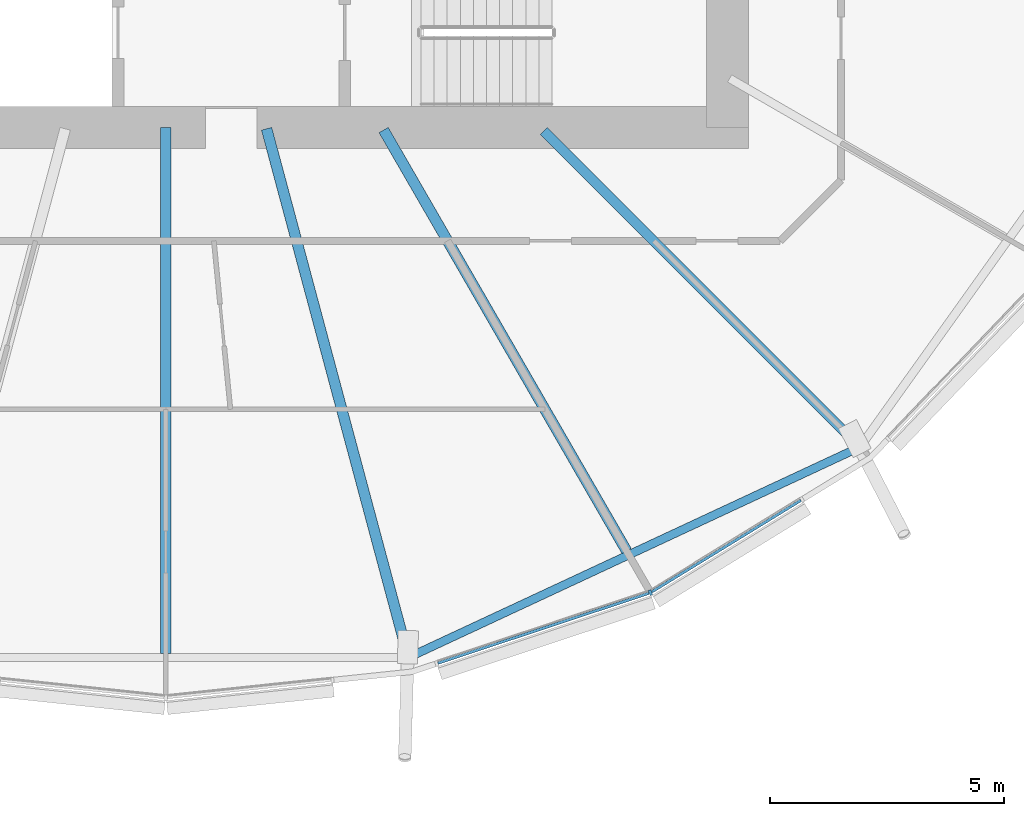
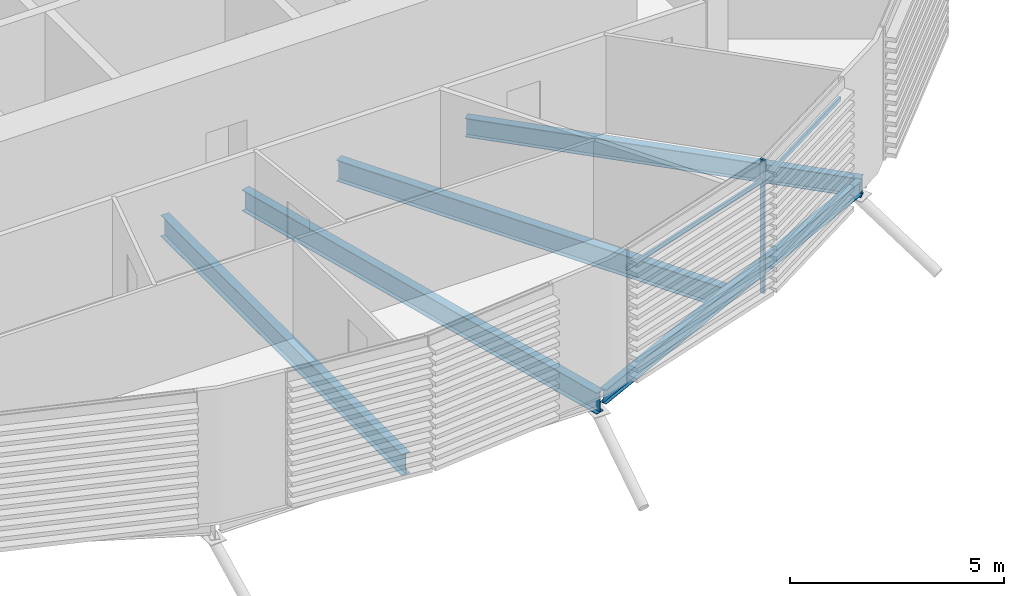
# One storey, part 4 of 37: 5 beams, 3 members, 1 element without a shape of its own.
"""IFC4 building model written with IfcOpenShell, lengths in metres."""

from ifc_helpers import new_model, si_unit, direction, frame, origin, origin_2d, place, context, subcontext, project, spatial, rectangle, i_section, extrude, material, material_profile, profile_set, type_object, element, aggregate, save


model = new_model("IFC4")

# Units and contexts
model_context = context("Model", 3, precision=1e-05, world=origin(), true_north=direction((0.0, 1.0)))
body_context = subcontext(model_context, "Body", "Model", "MODEL_VIEW")
ifc_project = project(units=[si_unit("LENGTHUNIT", "METRE"), si_unit("AREAUNIT", "SQUARE_METRE"), si_unit("VOLUMEUNIT", "CUBIC_METRE"), si_unit("PLANEANGLEUNIT", "RADIAN"), si_unit("MASSUNIT", "GRAM", prefix="KILO")], contexts=[model_context])

# Site, building, storey
site_placement = place(None, origin())
site = spatial("IfcSite", under=ifc_project, at=site_placement, CompositionType="ELEMENT")
building_placement = place(site_placement, origin())
building = spatial("IfcBuilding", under=site, at=building_placement, Name="Rimbun Link Towers", CompositionType="ELEMENT")
storey_placement = place(building_placement, frame((0.0, 0.0, 45.199951171875)))
storey = spatial("IfcBuildingStorey", under=building, at=storey_placement, Name="L10", CompositionType="ELEMENT", Elevation=45.199951171875)

# Curtain wall, members
ifc_material_1 = material(Name="Aluminium 6063-T6 and low-iron glass", Category="aluminium")
curtain_wall_type = type_object("IfcCurtainWallType", Name="CW1 unitised vision wall", PredefinedType="NOTDEFINED", material=ifc_material_1)
curtain_wall_placement = place(storey_placement, origin())
curtain_wall = element("IfcCurtainWall", 1, at=curtain_wall_placement, inside=storey, type_object=curtain_wall_type, Name="CW1 L10 T1", PredefinedType="NOTDEFINED")
ifc_material_2 = material(Name="Aluminium 6063-T6", Category="aluminium")
ifc_material_profile_1 = material_profile(ifc_material_2, rectangle(XDim=0.1201171875, YDim=0.06005859375, at=origin_2d()), Name="MULLION 60X120")
ifc_profile_set_1 = profile_set([ifc_material_profile_1], Name="Aluminium 6063-T6")
member_type_1 = type_object("IfcMemberType", Name="CW1 mullion 60X120", PredefinedType="MULLION", material=ifc_profile_set_1)
member_1_placement = place(storey_placement, frame((-21.396240234375, -17.944091796875, 0.0), z_axis=(0.0, 0.0, 1.0), x_axis=(0.421700623213, -0.906735123607, 0.0)))
member_1 = element("IfcMember", 2, at=member_1_placement, type_object=member_type_1, Name="CW1 mullion", PredefinedType="MULLION", context=body_context, shape_type="SweptSolid", body=[
    extrude(rectangle(XDim=0.1201171875, YDim=0.06005859375, at=origin_2d()), origin(), (0.0, 0.0, 1.0), 3.800048828125),
])
ifc_material_3 = material(Name="Aluminium 6063-T6", Category="aluminium")
ifc_material_profile_2 = material_profile(ifc_material_3, rectangle(XDim=0.06005859375, YDim=0.1201171875, at=origin_2d()), Name="TRANSOM 60X120")
ifc_profile_set_2 = profile_set([ifc_material_profile_2], Name="Aluminium 6063-T6")
member_type_2 = type_object("IfcMemberType", Name="CW1 transom 60X120", PredefinedType="USERDEFINED", material=ifc_profile_set_2)
member_2_placement = place(storey_placement, frame((-21.431640625, -17.9541015625, 3.199951171875), z_axis=(-0.94924257517, -0.314544962581, 0.0), x_axis=(0.314544962581, -0.94924257517, 0.0)))
member_2 = element("IfcMember", 3, at=member_2_placement, type_object=member_type_2, Name="CW1 transom", ObjectType="TRANSOM", PredefinedType="USERDEFINED", context=body_context, shape_type="SweptSolid", body=[
    extrude(rectangle(XDim=0.06005859375, YDim=0.1201171875, at=origin_2d()), origin(), (0.0, 0.0, 1.0), 4.74560546875),
])
member_3_placement = place(storey_placement, frame((-18.1806640625, -15.9677734375, 3.199951171875), z_axis=(-0.852173780916, -0.523258871992, 0.0), x_axis=(0.523258871992, -0.852173780916, 0.0)))
member_3 = element("IfcMember", 4, at=member_3_placement, type_object=member_type_2, Name="CW1 transom", ObjectType="TRANSOM", PredefinedType="USERDEFINED", context=body_context, shape_type="SweptSolid", body=[
    extrude(rectangle(XDim=0.06005859375, YDim=0.1201171875, at=origin_2d()), origin(), (0.0, 0.0, 1.0), 3.7373046875),
])
aggregate(curtain_wall, [member_1, member_2, member_3])

# Beams
ifc_material_4 = material(Name="Steel S355J2", Category="steel")
ifc_material_profile_3 = material_profile(ifc_material_4, i_section(OverallWidth=0.177978515625, OverallDepth=0.406494140625, WebThickness=0.0078125, FlangeThickness=0.0126953125, at=origin_2d()), Name="UB 406x178x60")
ifc_profile_set_3 = profile_set([ifc_material_profile_3], Name="Steel S355J2")
beam_type_1 = type_object("IfcBeamType", Name="UB 406x178x60", PredefinedType="BEAM", material=ifc_profile_set_3)
beam_1_placement = place(storey_placement, frame((-26.465087890625, -19.280517578125, -0.363037109375), z_axis=(0.906398512067, 0.422423646738, 0.0), x_axis=(-0.422423646738, 0.906398512067, 0.0)))
element("IfcBeam", 5, at=beam_1_placement, inside=storey, type_object=beam_type_1, Name="Edge beam T1 L10 19-21", PredefinedType="BEAM", context=body_context, shape_type="SweptSolid", body=[
    extrude(i_section(OverallWidth=0.177978515625, OverallDepth=0.406494140625, WebThickness=0.0078125, FlangeThickness=0.0126953125, at=origin_2d()), origin(), (0.0, 0.0, 1.0), 10.419921875),
])
ifc_material_5 = material(Name="Steel S355J2", Category="steel")
ifc_material_profile_4 = material_profile(ifc_material_5, i_section(OverallWidth=0.209228515625, OverallDepth=0.533203125, WebThickness=0.010009765625, FlangeThickness=0.015625, at=origin_2d()), Name="UB 533x210x92")
ifc_profile_set_4 = profile_set([ifc_material_profile_4], Name="Steel S355J2")
beam_type_2 = type_object("IfcBeamType", Name="UB 533x210x92", PredefinedType="BEAM", material=ifc_profile_set_4)
beam_2_placement = place(storey_placement, frame((-23.67529296875, -8.07470703125, -0.426513671875), z_axis=(0.707106781187, -0.707106781187, 0.0), x_axis=(0.707106781187, 0.707106781187, 0.0)))
element("IfcBeam", 6, at=beam_2_placement, inside=storey, type_object=beam_type_2, Name="Radial beam T1 L10 21", PredefinedType="BEAM", context=body_context, shape_type="SweptSolid", body=[
    extrude(i_section(OverallWidth=0.209228515625, OverallDepth=0.533203125, WebThickness=0.010009765625, FlangeThickness=0.015625, at=origin_2d()), origin(), (0.0, 0.0, 1.0), 9.55517578125),
])
ifc_material_6 = material(Name="Steel S355J2", Category="steel")
ifc_material_profile_5 = material_profile(ifc_material_6, i_section(OverallWidth=0.2275390625, OverallDepth=0.6025390625, WebThickness=0.010498046875, FlangeThickness=0.014892578125, at=origin_2d()), Name="UB 610x229x101")
ifc_profile_set_5 = profile_set([ifc_material_profile_5], Name="Steel S355J2")
beam_type_3 = type_object("IfcBeamType", Name="UB 610x229x101", PredefinedType="BEAM", material=ifc_profile_set_5)
beam_3_placement = place(storey_placement, frame((-31.75, -8.0009765625, -0.461181640625), z_axis=(0.0, -1.0, 0.0), x_axis=(1.0, 0.0, 0.0)))
element("IfcBeam", 7, at=beam_3_placement, inside=storey, type_object=beam_type_3, Name="Radial beam T1 L10 18", PredefinedType="BEAM", context=body_context, shape_type="SweptSolid", body=[
    extrude(i_section(OverallWidth=0.2275390625, OverallDepth=0.6025390625, WebThickness=0.010498046875, FlangeThickness=0.014892578125, at=origin_2d()), origin(), (0.0, 0.0, 1.0), 11.23876953125),
])
beam_4_placement = place(storey_placement, frame((-29.598388671875, -8.030517578125, -0.461181640625), z_axis=(0.258839363348, -0.965920381803, 0.0), x_axis=(0.965920381803, 0.258839363348, 0.0)))
element("IfcBeam", 8, at=beam_4_placement, inside=storey, type_object=beam_type_3, Name="Radial beam T1 L10 19", PredefinedType="BEAM", context=body_context, shape_type="SweptSolid", body=[
    extrude(i_section(OverallWidth=0.2275390625, OverallDepth=0.6025390625, WebThickness=0.010498046875, FlangeThickness=0.014892578125, at=origin_2d()), origin(), (0.0, 0.0, 1.0), 11.69775390625),
])
beam_5_placement = place(storey_placement, frame((-27.097900390625, -8.057861328125, -0.461181640625), z_axis=(0.499998423118, -0.866026314196, 0.0), x_axis=(0.866026314196, 0.499998423118, 0.0)))
element("IfcBeam", 9, at=beam_5_placement, inside=storey, type_object=beam_type_3, Name="Radial beam T1 L10 20", PredefinedType="BEAM", context=body_context, shape_type="SweptSolid", body=[
    extrude(i_section(OverallWidth=0.2275390625, OverallDepth=0.6025390625, WebThickness=0.010498046875, FlangeThickness=0.014892578125, at=origin_2d()), origin(), (0.0, 0.0, 1.0), 10.38916015625),
])

save(model, "model.ifc")
